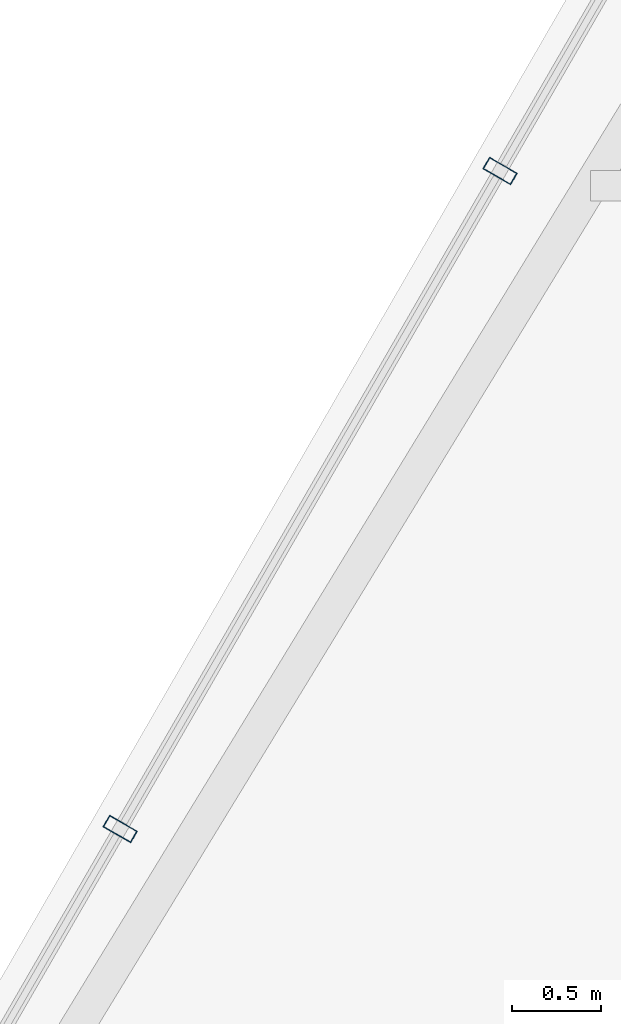
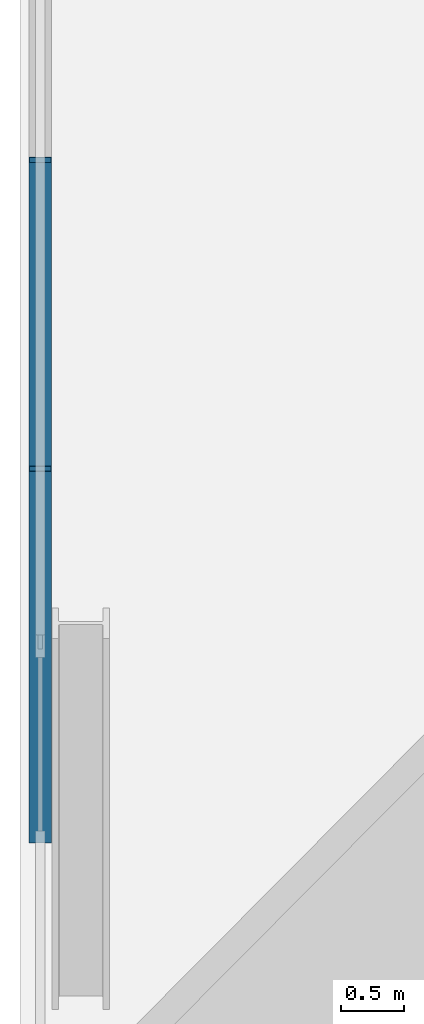
# One storey, part 12 of 34: 2 members, 1 element without a shape of its own.
"""IFC4 building model written with IfcOpenShell, lengths in metres."""

from ifc_helpers import new_model, si_unit, direction, frame, origin, origin_2d, place, context, subcontext, project, spatial, hollow_rectangle, extrude, material, layer, layer_set, material_profile, profile_set, type_object, element, aggregate, save


model = new_model("IFC4")

# Units and contexts
model_context = context("Model", 3, precision=1e-05, world=origin(), true_north=direction((0.0, 1.0)))
body_context = subcontext(model_context, "Body", "Model", "MODEL_VIEW")
ifc_project = project(units=[si_unit("LENGTHUNIT", "METRE"), si_unit("AREAUNIT", "SQUARE_METRE"), si_unit("VOLUMEUNIT", "CUBIC_METRE"), si_unit("PLANEANGLEUNIT", "RADIAN"), si_unit("MASSUNIT", "GRAM", prefix="KILO")], contexts=[model_context])

# Site, building, storey
site_placement = place(None, origin())
site = spatial("IfcSite", under=ifc_project, at=site_placement, CompositionType="ELEMENT")
building_placement = place(site_placement, origin())
building = spatial("IfcBuilding", under=site, at=building_placement, Name="Ndaravel Arena Tower", CompositionType="ELEMENT")
storey_placement = place(building_placement, frame((0.0, 0.0, 195.39990234375)))
storey = spatial("IfcBuildingStorey", under=building, at=storey_placement, Name="L47", CompositionType="ELEMENT", Elevation=195.39990234375)

# Curtain wall, members
ifc_material_1 = material(Name="Aluminium", Category="aluminium")
ifc_layer = layer(ifc_material_1, 0.179931640625)
ifc_layer_set = layer_set([ifc_layer], Name="Aluminium")
curtain_wall_type = type_object("IfcCurtainWallType", Name="CW-SYS-03", PredefinedType="NOTDEFINED", material=ifc_layer_set)
curtain_wall_placement = place(storey_placement, origin())
curtain_wall = element("IfcCurtainWall", 1, at=curtain_wall_placement, inside=storey, type_object=curtain_wall_type, Name="L47 Faceted Crystal Curtain Wall CW-L47-E05", PredefinedType="NOTDEFINED")
ifc_material_2 = material(Name="Aluminium", Category="aluminium")
ifc_material_profile = material_profile(ifc_material_2, hollow_rectangle(XDim=0.074951171875, YDim=0.179931640625, WallThickness=0.00390625, at=origin_2d()), Name="CW MULLION 75x180x4")
ifc_profile_set = profile_set([ifc_material_profile], Name="Aluminium")
member_type = type_object("IfcMemberType", Name="MEM-CW-MUL180", PredefinedType="MULLION", material=ifc_profile_set)
member_1_placement = place(storey_placement, frame((31.100830078125, 35.08203125, 0.0), z_axis=(0.0, 0.0, 1.0), x_axis=(-0.5, -0.866025403784, 0.0)))
member_1 = element("IfcMember", 2, at=member_1_placement, type_object=member_type, Name="CW-L47-E05 Mullion 03", PredefinedType="MULLION", context=body_context, shape_type="SweptSolid", body=[
    extrude(hollow_rectangle(XDim=0.074951171875, YDim=0.179931640625, WallThickness=0.00390625, at=origin_2d()), origin(), (0.0, 0.0, 1.0), 3.580078125),
])
member_2_placement = place(storey_placement, frame((28.975341796875, 31.400634765625, 0.0), z_axis=(0.0, 0.0, 1.0), x_axis=(-0.5, -0.866025403784, 0.0)))
member_2 = element("IfcMember", 3, at=member_2_placement, type_object=member_type, Name="CW-L47-E05 Mullion 04", PredefinedType="MULLION", context=body_context, shape_type="SweptSolid", body=[
    extrude(hollow_rectangle(XDim=0.074951171875, YDim=0.179931640625, WallThickness=0.00390625, at=origin_2d()), origin(), (0.0, 0.0, 1.0), 3.580078125),
])
aggregate(curtain_wall, [member_1, member_2])

save(model, "model.ifc")
